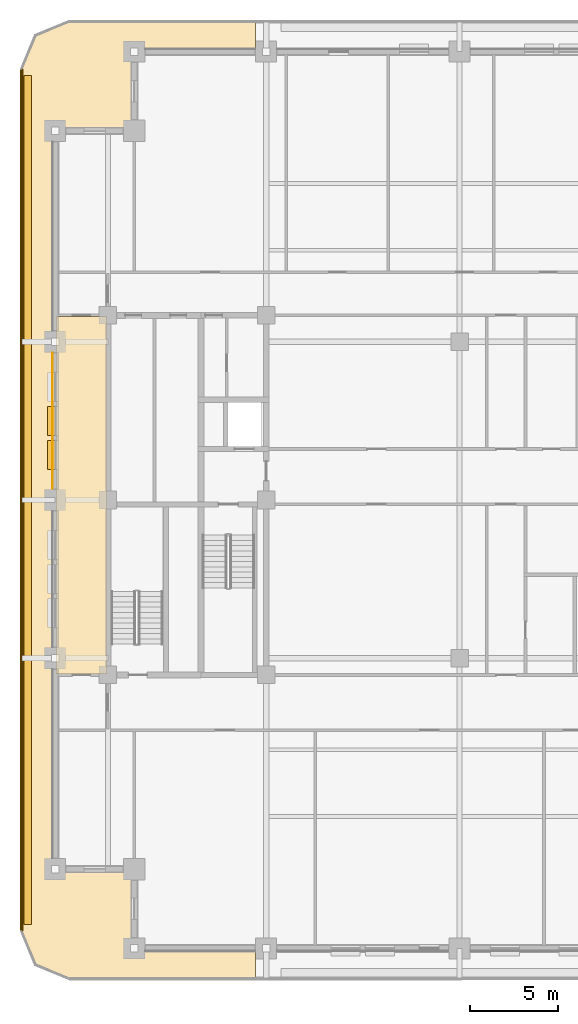
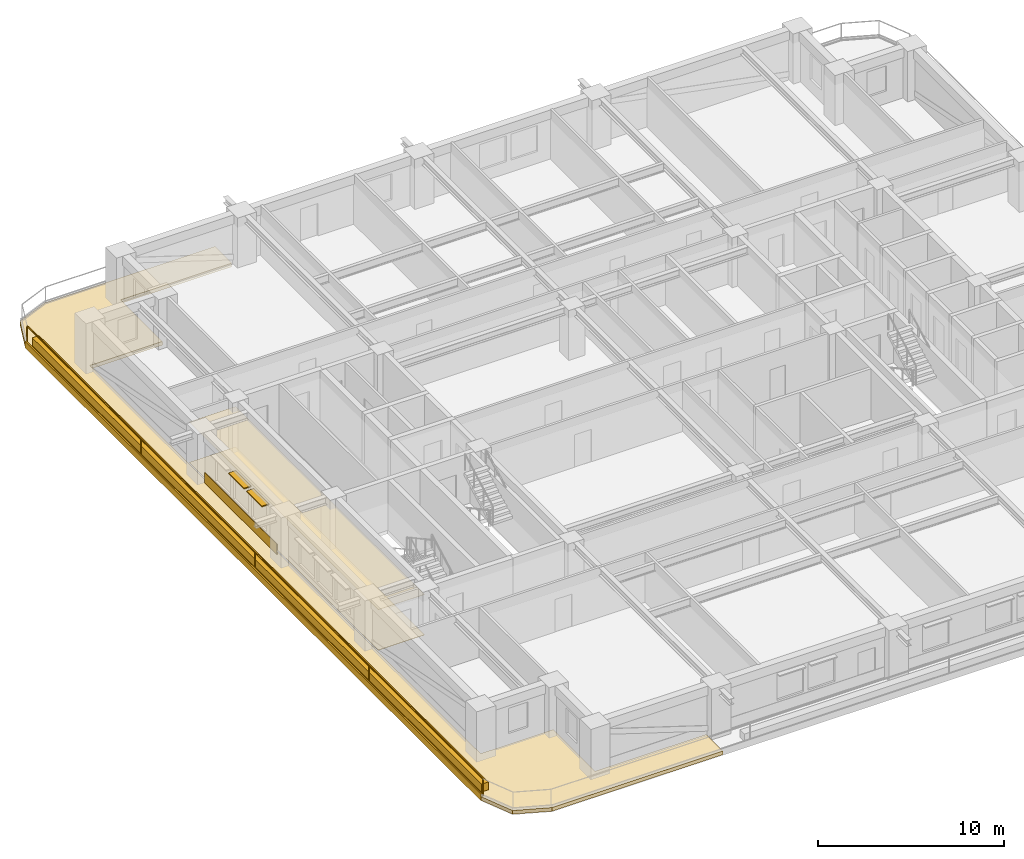
# One storey, part 10 of 14: 6 coverings, 2 shading devices, 1 railing.
"""IFC4 building model written with IfcOpenShell, lengths in metres."""

from ifc_helpers import new_model, si_unit, direction, frame, frame_2d, origin, origin_2d, place, context, subcontext, project, spatial, polyline, rectangle, outline, extrude, material, layer, layer_set, type_object, element, save


model = new_model("IFC4")

# Units and contexts
model_context = context("Model", 3, precision=1e-05, world=origin(), true_north=direction((0.0, 1.0)))
body_context = subcontext(model_context, "Body", "Model", "MODEL_VIEW")
ifc_project = project(units=[si_unit("LENGTHUNIT", "METRE"), si_unit("AREAUNIT", "SQUARE_METRE"), si_unit("VOLUMEUNIT", "CUBIC_METRE"), si_unit("PLANEANGLEUNIT", "RADIAN"), si_unit("MASSUNIT", "GRAM", prefix="KILO")], contexts=[model_context])

# Site, building, storey
site_placement = place(None, origin())
site = spatial("IfcSite", under=ifc_project, at=site_placement, CompositionType="ELEMENT")
building_placement = place(site_placement, origin())
building = spatial("IfcBuilding", under=site, at=building_placement, Name="Zulmaris Gate Convention Tower", CompositionType="ELEMENT")
storey_placement = place(building_placement, frame((0.0, 0.0, 94.929931640625)))
storey = spatial("IfcBuildingStorey", under=building, at=storey_placement, Name="L23", CompositionType="ELEMENT", Elevation=94.929931640625)

# Coverings
ifc_material_1 = material(Name="Precast concrete C40/50", Category="concrete")
ifc_layer_1 = layer(ifc_material_1, 0.0400390625, Name="Precast concrete C40/50")
ifc_layer_set_1 = layer_set([ifc_layer_1], Name="Precast concrete C40/50")
covering_type_1 = type_object("IfcCoveringType", Name="CLAD-SPANDREL-PRECAST", PredefinedType="CLADDING", material=ifc_layer_set_1)
covering_1_placement = place(storey_placement, frame((-23.14990234375, 8.3701171875, 0.0), z_axis=(0.0, 0.0, 1.0), x_axis=(0.0, -1.0, 0.0)))
element("IfcCovering", 1, at=covering_1_placement, inside=storey, type_object=covering_type_1, Name="CLD-L23-W-2_0", PredefinedType="CLADDING", context=body_context, shape_type="SweptSolid", body=[
    extrude(rectangle(XDim=7.740234375, YDim=0.0400390625, at=frame_2d((3.8701171875, 0.0))), origin(), (0.0, 0.0, 1.0), 0.679931640625),
])
ifc_material_2 = material(Name="White Glazed Architectural Precast Concrete C40/50", Category="concrete")
ifc_layer_2 = layer(ifc_material_2, 0.239990234375, Name="White Glazed Architectural Precast Concrete C40/50")
ifc_layer_set_2 = layer_set([ifc_layer_2], Name="White Glazed Architectural Precast Concrete C40/50")
covering_type_2 = type_object("IfcCoveringType", Name="CLAD-TRAY-DECK", PredefinedType="CLADDING", material=ifc_layer_set_2)
covering_2_placement = place(storey_placement, frame((0.0, 0.0, -0.25)))
element("IfcCovering", 2, at=covering_2_placement, inside=storey, type_object=covering_type_2, Name="L23 West Rounded-Fascia Planter Tray Deck", PredefinedType="CLADDING", context=body_context, shape_type="SweptSolid", body=[
    extrude(outline(polyline([(-25.0, 24.5), (-24.179931640625, 26.47998046875), (-22.199951171875, 27.300048828125), (-11.60205078125, 27.300048828125), (-11.60205078125, 25.5), (-18.5, 25.5), (-18.5, 21.0), (-23.0, 21.0), (-23.0, -21.0), (-18.5, -21.0), (-18.5, -25.5), (-11.60205078125, -25.5), (-11.60205078125, -27.300048828125), (-22.199951171875, -27.300048828125), (-24.179931640625, -26.47998046875), (-25.0, -24.5), (-25.0, 24.5)])), origin(), (0.0, 0.0, 1.0), 0.239990234375),
])
ifc_layer_3 = layer(ifc_material_2, 0.080078125, Name="White Glazed Architectural Precast Concrete C40/50")
ifc_layer_set_3 = layer_set([ifc_layer_3], Name="White Glazed Architectural Precast Concrete C40/50")
covering_type_3 = type_object("IfcCoveringType", Name="CLAD-TRAY-FASCIA", PredefinedType="CLADDING", material=ifc_layer_set_3)
covering_3_placement = place(storey_placement, frame((-24.9599609375, 24.5, -0.2900390625), z_axis=(0.0, 0.0, 1.0), x_axis=(0.0, -1.0, 0.0)))
element("IfcCovering", 3, at=covering_3_placement, inside=storey, type_object=covering_type_3, Name="FSC-L23-TR-11", PredefinedType="CLADDING", context=body_context, shape_type="SweptSolid", body=[
    extrude(rectangle(XDim=49.0, YDim=0.080078125, at=frame_2d((24.5, 0.0))), origin(), (0.0, 0.0, 1.0), 0.43994140625),
])
ifc_material_3 = material(Name="Mineral Fibre Acoustic Ceiling Tile")
ifc_layer_4 = layer(ifc_material_3, 0.02001953125, Name="Mineral Fibre Acoustic Ceiling Tile")
ifc_layer_set_4 = layer_set([ifc_layer_4], Name="Mineral Fibre Acoustic Ceiling Tile")
covering_type_4 = type_object("IfcCoveringType", Name="CLG-ACOUSTIC-600", PredefinedType="CEILING", material=ifc_layer_set_4)
covering_4_placement = place(storey_placement, frame((0.0, 0.0, 2.655029296875)))
element("IfcCovering", 4, at=covering_4_placement, inside=storey, type_object=covering_type_4, Name="CLG-L23-R51", PredefinedType="CEILING", context=body_context, shape_type="SweptSolid", body=[
    extrude(outline(polyline([(-22.93994140625, -9.889892578125), (-20.06005859375, -9.889892578125), (-20.06005859375, 10.43994140625), (-22.93994140625, 10.43994140625), (-22.93994140625, -9.889892578125)])), origin(), (0.0, 0.0, 1.0), 0.02001953125),
])
ifc_material_4 = material(Name="Woven Acoustic Wool Carpet Tile")
ifc_layer_5 = layer(ifc_material_4, 0.02001953125, Name="Woven Acoustic Wool Carpet Tile")
ifc_layer_set_5 = layer_set([ifc_layer_5], Name="Woven Acoustic Wool Carpet Tile")
covering_type_5 = type_object("IfcCoveringType", Name="FLR-CARPET-12", PredefinedType="FLOORING", material=ifc_layer_set_5)
covering_5_placement = place(storey_placement, origin())
element("IfcCovering", 5, at=covering_5_placement, inside=storey, type_object=covering_type_5, Name="FLR-L23-R51", PredefinedType="FLOORING", context=body_context, shape_type="SweptSolid", body=[
    extrude(outline(polyline([(-22.93994140625, -9.889892578125), (-20.06005859375, -9.889892578125), (-20.06005859375, 10.43994140625), (-22.93994140625, 10.43994140625), (-22.93994140625, -9.889892578125)])), origin(), (0.0, 0.0, 1.0), 0.02001953125),
])
ifc_material_5 = material(Name="Botanical Green Glazed Precast Concrete C40/50", Category="concrete")
ifc_layer_6 = layer(ifc_material_5, 0.419921875, Name="Botanical Green Glazed Precast Concrete C40/50")
ifc_layer_set_6 = layer_set([ifc_layer_6], Name="Botanical Green Glazed Precast Concrete C40/50")
covering_type_6 = type_object("IfcCoveringType", Name="PLANTER-BOX-200", PredefinedType="CLADDING", material=ifc_layer_set_6)
covering_6_placement = place(storey_placement, frame((0.0, 0.0, -0.010009765625)))
element("IfcCovering", 6, at=covering_6_placement, inside=storey, type_object=covering_type_6, Name="L23 W Full-Length Balcony Tree Planter Trough", PredefinedType="CLADDING", context=body_context, shape_type="SweptSolid", body=[
    extrude(outline(polyline([(-24.760009765625, -24.14990234375), (-24.340087890625, -24.14990234375), (-24.340087890625, 24.14990234375), (-24.760009765625, 24.14990234375), (-24.760009765625, -24.14990234375)])), origin(), (0.0, 0.0, 1.0), 0.52001953125),
])

# Railing
ifc_material_6 = material(Name="Laminated Glass and Stainless Steel", Category="steel")
railing_type = type_object("IfcRailingType", Name="RL-BALC-1150", PredefinedType="BALUSTRADE", material=ifc_material_6)
railing_placement = place(storey_placement, frame((-24.8798828125, 24.5, -0.010009765625)))
element("IfcRailing", 7, at=railing_placement, inside=storey, type_object=railing_type, Name="RL-L23-BALC-W", PredefinedType="BALUSTRADE", context=body_context, shape_type="SweptSolid", body=[
    extrude(rectangle(XDim=0.048095703125, YDim=0.048095703125, at=origin_2d()), frame((0.0, 0.0, 1.1259765625), z_axis=(0.0, -1.0, 0.0), x_axis=(1.0, 0.0, 0.0)), (0.0, 0.0, 1.0), 49.0),
    extrude(rectangle(XDim=0.048095703125, YDim=0.048095703125, at=origin_2d()), frame((0.0, 0.0, 0.02392578125), z_axis=(0.0, -1.0, 0.0), x_axis=(1.0, 0.0, 0.0)), (0.0, 0.0, 1.0), 49.0),
    extrude(rectangle(XDim=0.0419921875, YDim=0.0419921875, at=origin_2d()), origin(), (0.0, 0.0, 1.0), 1.101806640625),
    extrude(rectangle(XDim=0.0419921875, YDim=0.0419921875, at=origin_2d()), frame((0.0, -12.25, 0.0)), (0.0, 0.0, 1.0), 1.101806640625),
    extrude(rectangle(XDim=0.0419921875, YDim=0.0419921875, at=origin_2d()), frame((0.0, -24.5, 0.0)), (0.0, 0.0, 1.0), 1.101806640625),
    extrude(rectangle(XDim=0.0419921875, YDim=0.0419921875, at=origin_2d()), frame((0.0, -36.75, 0.0)), (0.0, 0.0, 1.0), 1.101806640625),
    extrude(rectangle(XDim=0.0419921875, YDim=0.0419921875, at=origin_2d()), frame((0.0, -49.0, 0.0)), (0.0, 0.0, 1.0), 1.101806640625),
])

# Shading devices
ifc_material_7 = material(Name="Glazed Ceramic Terracotta", Category="masonry")
ifc_layer_7 = layer(ifc_material_7, 0.070068359375, Name="Glazed Ceramic Terracotta")
ifc_layer_set_7 = layer_set([ifc_layer_7], Name="Glazed Ceramic Terracotta")
shading_device_type = type_object("IfcShadingDeviceType", Name="SHD-SUNSHADE-TC", PredefinedType="AWNING", material=ifc_layer_set_7)
for number, where, z_axis, x_axis, name in (
    (8, (-23.219970703125, 5.324951171875, 2.530029296875), (0.0, 0.0, 1.0), (0.0, -1.0, 0.0), "SHD-EW-L23-W-2_0-2"),
    (9, (-23.219970703125, 3.389892578125, 2.530029296875), (0.0, 0.0, 1.0), (0.0, -1.0, 0.0), "SHD-EW-L23-W-2_0-3"),
):
    element("IfcShadingDevice", number, at=place(storey_placement, frame(where, z_axis=z_axis, x_axis=x_axis)), inside=storey, type_object=shading_device_type, Name=name, PredefinedType="AWNING", context=body_context, shape_type="SweptSolid", body=[
        extrude(rectangle(XDim=1.64990234375, YDim=0.43994140625, at=frame_2d((0.824951171875, 0.0))), origin(), (0.0, 0.0, 1.0), 0.06982421875),
    ])

save(model, "model.ifc")
